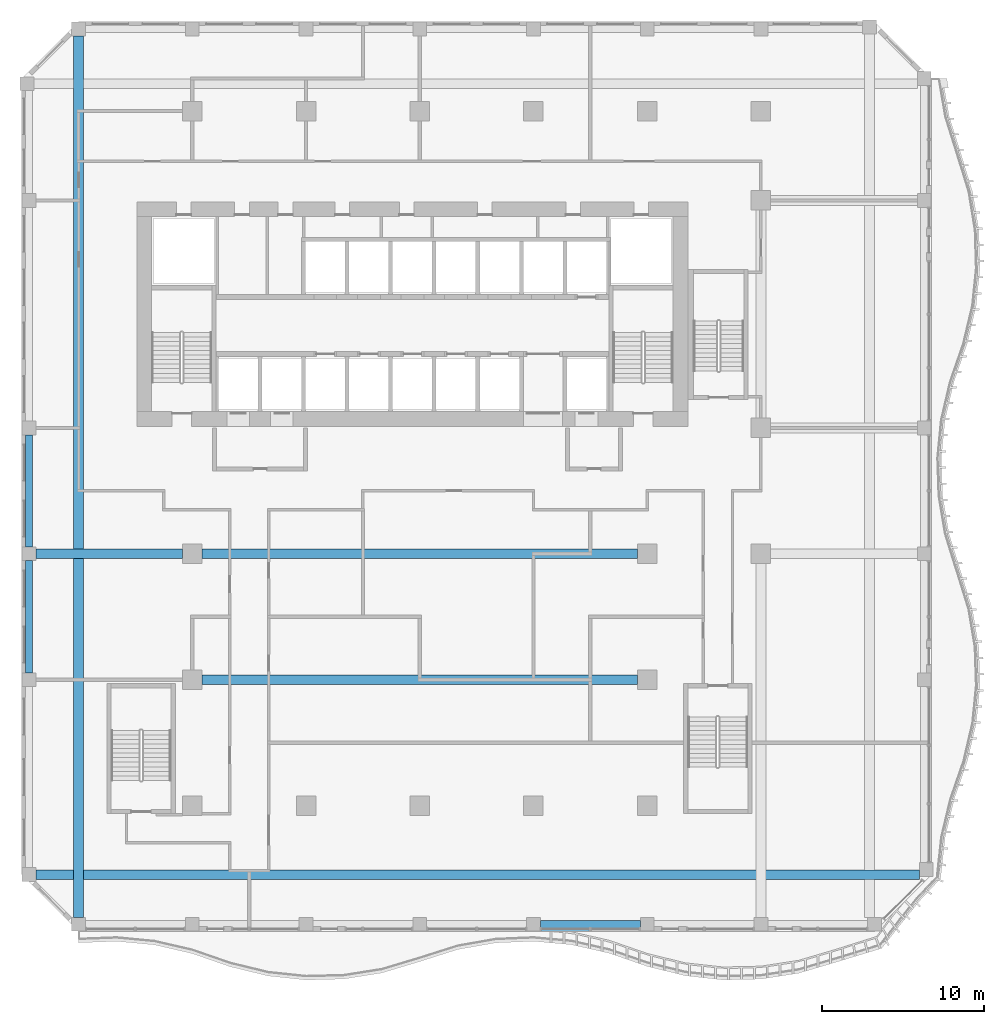
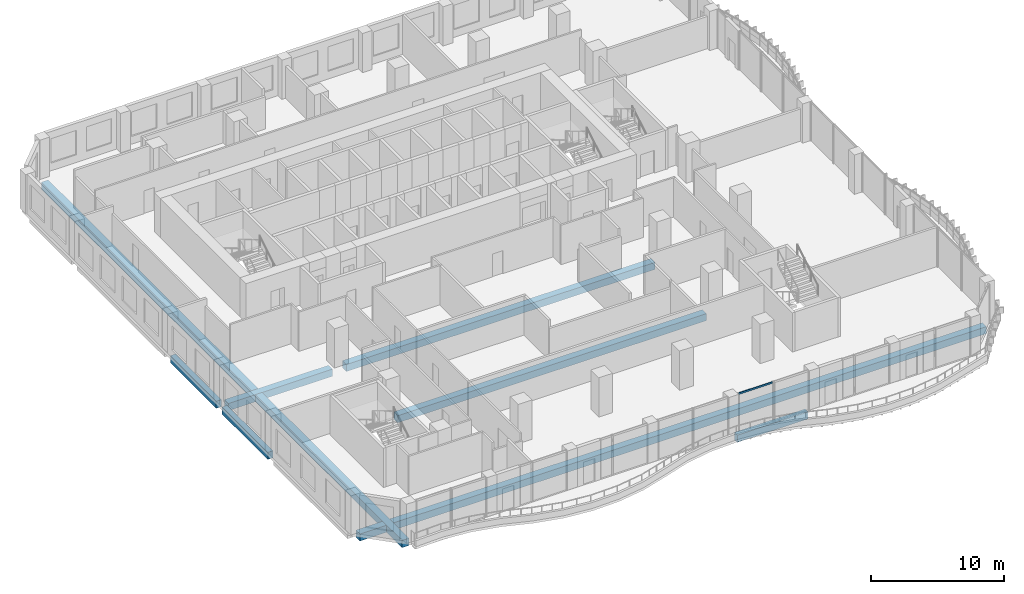
# One storey, part 3 of 19: 8 beams, 1 member, 1 element without a shape of its own.
"""IFC4 building model written with IfcOpenShell, lengths in metres."""

from ifc_helpers import new_model, si_unit, direction, frame, origin, origin_2d, place, context, subcontext, project, spatial, rectangle, extrude, source, transform, mapped, material, material_profile, profile_set, type_object, element, aggregate, save


model = new_model("IFC4")

# Units and contexts
model_context = context("Model", 3, precision=1e-05, world=origin(), true_north=direction((0.0, 1.0)))
body_context = subcontext(model_context, "Body", "Model", "MODEL_VIEW")
ifc_project = project(units=[si_unit("LENGTHUNIT", "METRE"), si_unit("AREAUNIT", "SQUARE_METRE"), si_unit("VOLUMEUNIT", "CUBIC_METRE"), si_unit("PLANEANGLEUNIT", "RADIAN"), si_unit("MASSUNIT", "GRAM", prefix="KILO")], contexts=[model_context])

# Site, building, storey
site_placement = place(None, origin())
site = spatial("IfcSite", under=ifc_project, at=site_placement, CompositionType="ELEMENT")
building_placement = place(site_placement, origin())
building = spatial("IfcBuilding", under=site, at=building_placement, Name="Kilnfold Tower and Market Hall", CompositionType="ELEMENT")
storey_placement = place(building_placement, frame((0.0, 0.0, 124.60009765625)))
storey = spatial("IfcBuildingStorey", under=building, at=storey_placement, Name="L29", CompositionType="ELEMENT", Elevation=124.60009765625)

# Beams
ifc_material_1 = material(Name="Concrete C45", Category="concrete")
ifc_material_profile_1 = material_profile(ifc_material_1, rectangle(XDim=0.449951171875, YDim=0.64990234375, at=origin_2d()), Name="RC 450x650")
ifc_profile_set_1 = profile_set([ifc_material_profile_1], Name="Concrete C45")
beam_type_1 = type_object("IfcBeamType", Name="EDGE BEAM 450X650 C45", PredefinedType="BEAM", material=ifc_profile_set_1)
shared_shape_1 = source(origin(), body_context, "Body", "SweptSolid", [
    extrude(rectangle(XDim=0.449951171875, YDim=0.64990234375, at=origin_2d()), origin(), (0.0, 0.0, 1.0), 6.14990234375),
])
beam_1_placement = place(storey_placement, frame((8.925048828125, -22.550048828125, -0.60498046875), z_axis=(1.0, 0.0, 0.0), x_axis=(0.0, 1.0, 0.0)))
element("IfcBeam", 1, at=beam_1_placement, inside=storey, type_object=beam_type_1, Name="Beam EB650-B3.56", PredefinedType="BEAM", context=body_context, shape_type="MappedRepresentation", body=[
    mapped(shared_shape_1, transform((0.0, 0.0, 0.0))),
])
ifc_material_2 = material(Name="Concrete C45", Category="concrete")
ifc_material_profile_2 = material_profile(ifc_material_2, rectangle(XDim=0.60009765625, YDim=0.64990234375, at=origin_2d()), Name="RC 600x650")
ifc_profile_set_2 = profile_set([ifc_material_profile_2], Name="Concrete C45")
beam_type_2 = type_object("IfcBeamType", Name="BEAM 600X650 C45", PredefinedType="BEAM", material=ifc_profile_set_2)
shared_shape_2 = source(origin(), body_context, "Body", "SweptSolid", [
    extrude(rectangle(XDim=0.60009765625, YDim=0.64990234375, at=origin_2d()), origin(), (0.0, 0.0, 1.0), 54.3818359375),
])
beam_2_placement = place(storey_placement, frame((-22.125, -19.5, -0.60498046875), z_axis=(1.0, 0.0, 0.0), x_axis=(0.0, 1.0, 0.0)))
element("IfcBeam", 2, at=beam_2_placement, inside=storey, type_object=beam_type_2, Name="Beam BB650-B3.59", PredefinedType="BEAM", context=body_context, shape_type="MappedRepresentation", body=[
    mapped(shared_shape_2, transform((0.0, 0.0, 0.0))),
])
shared_shape_3 = source(origin(), body_context, "Body", "SweptSolid", [
    extrude(rectangle(XDim=0.60009765625, YDim=0.64990234375, at=origin_2d()), origin(), (0.0, 0.0, 1.0), 26.7998046875),
])
for number, where, z_axis, x_axis, name in (
    (3, (-11.89990234375, -7.5, -0.60498046875), (1.0, 0.0, 0.0), (0.0, 1.0, 0.0), "Beam BB650-B3.60"),
    (4, (-11.89990234375, 0.25, -0.60498046875), (1.0, 0.0, 0.0), (0.0, 1.0, 0.0), "Beam BB650-B3.62"),
):
    element("IfcBeam", number, at=place(storey_placement, frame(where, z_axis=z_axis, x_axis=x_axis)), inside=storey, type_object=beam_type_2, Name=name, PredefinedType="BEAM", context=body_context, shape_type="MappedRepresentation", body=[
        mapped(shared_shape_3, transform((0.0, 0.0, 0.0))),
    ])
shared_shape_4 = source(origin(), body_context, "Body", "SweptSolid", [
    extrude(rectangle(XDim=0.60009765625, YDim=0.64990234375, at=origin_2d()), origin(), (0.0, 0.0, 1.0), 9.02490234375),
])
beam_3_placement = place(storey_placement, frame((-22.125, 0.25, -0.60498046875), z_axis=(1.0, 0.0, 0.0), x_axis=(0.0, 1.0, 0.0)))
element("IfcBeam", 5, at=beam_3_placement, inside=storey, type_object=beam_type_2, Name="Beam BB650-B3.61", PredefinedType="BEAM", context=body_context, shape_type="MappedRepresentation", body=[
    mapped(shared_shape_4, transform((0.0, 0.0, 0.0))),
])
shared_shape_5 = source(origin(), body_context, "Body", "SweptSolid", [
    extrude(rectangle(XDim=0.449951171875, YDim=0.64990234375, at=origin_2d()), origin(), (0.0, 0.0, 1.0), 6.89990234375),
])
for number, where, z_axis, x_axis, name in (
    (6, (-22.550048828125, -7.074951171875, -0.60498046875), (0.0, 1.0, 0.0), (-1.0, 0.0, 0.0), "Beam EB650-B3.75"),
    (7, (-22.550048828125, 0.675048828125, -0.60498046875), (0.0, 1.0, 0.0), (-1.0, 0.0, 0.0), "Beam EB650-B3.76"),
):
    element("IfcBeam", number, at=place(storey_placement, frame(where, z_axis=z_axis, x_axis=x_axis)), inside=storey, type_object=beam_type_1, Name=name, PredefinedType="BEAM", context=body_context, shape_type="MappedRepresentation", body=[
        mapped(shared_shape_5, transform((0.0, 0.0, 0.0))),
    ])
shared_shape_6 = source(origin(), body_context, "Body", "SweptSolid", [
    extrude(rectangle(XDim=0.60009765625, YDim=0.64990234375, at=origin_2d()), origin(), (0.0, 0.0, 1.0), 54.25),
])
beam_4_placement = place(storey_placement, frame((-19.5, -22.125, -0.60498046875), z_axis=(0.0, 1.0, 0.0), x_axis=(-1.0, 0.0, 0.0)))
element("IfcBeam", 8, at=beam_4_placement, inside=storey, type_object=beam_type_2, Name="Beam BB650-B3.79", PredefinedType="BEAM", context=body_context, shape_type="MappedRepresentation", body=[
    mapped(shared_shape_6, transform((0.0, 0.0, 0.0))),
])

# Curtain wall, member
ifc_material_3 = material(Name="Aluminium and double glazing", Category="aluminium")
curtain_wall_type = type_object("IfcCurtainWallType", Name="CW OF2 VALLEY GLAZING", PredefinedType="NOTDEFINED", material=ifc_material_3)
curtain_wall_placement = place(storey_placement, origin())
curtain_wall = element("IfcCurtainWall", 9, at=curtain_wall_placement, inside=storey, type_object=curtain_wall_type, Name="Curtain wall CW2 L29 S", PredefinedType="NOTDEFINED")
ifc_material_4 = material(Name="Aluminium", Category="aluminium")
ifc_material_profile_3 = material_profile(ifc_material_4, rectangle(XDim=0.06005859375, YDim=0.159912109375, at=origin_2d()), Name="TRANSOM 60x160")
ifc_profile_set_3 = profile_set([ifc_material_profile_3], Name="Aluminium")
member_type = type_object("IfcMemberType", Name="TRANSOM 60X160", PredefinedType="USERDEFINED", material=ifc_profile_set_3)
shared_shape_7 = source(origin(), body_context, "Body", "SweptSolid", [
    extrude(rectangle(XDim=0.06005859375, YDim=0.159912109375, at=origin_2d()), origin(), (0.0, 0.0, 1.0), 2.954833984375),
])
member_placement = place(storey_placement, frame((8.985107421875, -22.85009765625, 3.56982421875), z_axis=(1.0, 0.0, 0.0), x_axis=(0.0, 1.0, 0.0)))
member = element("IfcMember", 10, at=member_placement, type_object=member_type, Name="CW2 transom 1.2", ObjectType="TRANSOM", PredefinedType="USERDEFINED", context=body_context, shape_type="MappedRepresentation", body=[
    mapped(shared_shape_7, transform((0.0, 0.0, 0.0))),
])
aggregate(curtain_wall, [member])

save(model, "model.ifc")
